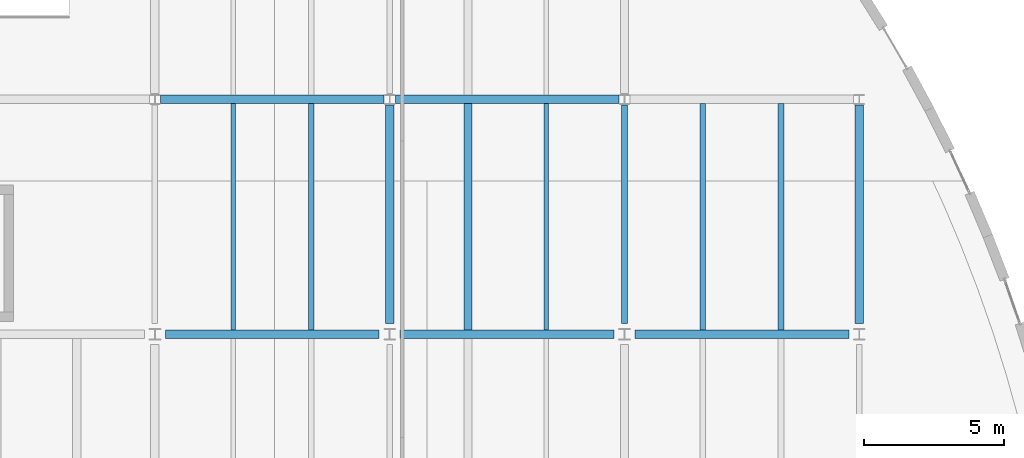
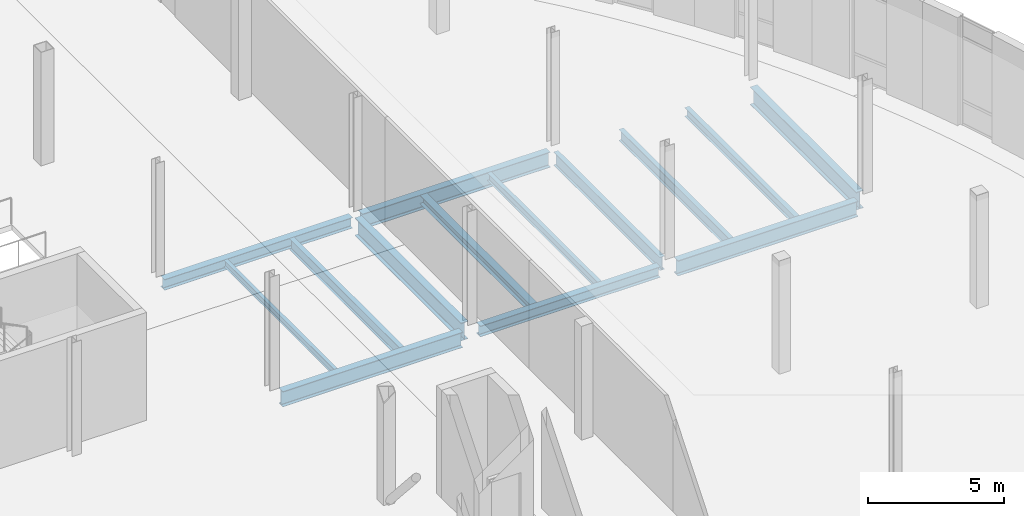
# One storey, part 51 of 104: 14 beams.
"""IFC4 building model written with IfcOpenShell, lengths in metres."""

from ifc_helpers import new_model, si_unit, direction, frame, origin, origin_2d, place, context, subcontext, project, spatial, i_section, extrude, material, material_profile, profile_set, type_object, element, save


model = new_model("IFC4")

# Units and contexts
model_context = context("Model", 3, precision=1e-05, world=origin(), true_north=direction((0.0, 1.0)))
body_context = subcontext(model_context, "Body", "Model", "MODEL_VIEW")
ifc_project = project(units=[si_unit("LENGTHUNIT", "METRE"), si_unit("AREAUNIT", "SQUARE_METRE"), si_unit("VOLUMEUNIT", "CUBIC_METRE"), si_unit("PLANEANGLEUNIT", "RADIAN"), si_unit("MASSUNIT", "GRAM", prefix="KILO"), si_unit("THERMODYNAMICTEMPERATUREUNIT", "KELVIN")], contexts=[model_context])

# Site, building, storey
site_placement = place(None, origin())
site = spatial("IfcSite", under=ifc_project, at=site_placement, CompositionType="ELEMENT")
building_placement = place(site_placement, origin())
building = spatial("IfcBuilding", under=site, at=building_placement, Name="Lustrewick Department Store", CompositionType="ELEMENT")
storey_placement = place(building_placement, frame((0.0, 0.0, 11.39990234375)))
storey = spatial("IfcBuildingStorey", under=building, at=storey_placement, Name="L03", CompositionType="ELEMENT", Elevation=11.39990234375)

# Beams
ifc_material = material(Name="Structural steel Q355B", Category="steel")
ifc_material_profile_1 = material_profile(ifc_material, i_section(OverallWidth=0.198974609375, OverallDepth=0.49609375, WebThickness=0.009033203125, FlangeThickness=0.013916015625, FilletRadius=0.01611328125, at=origin_2d()), Name="HN 496x199x9x14")
ifc_profile_set_1 = profile_set([ifc_material_profile_1], Name="Structural steel Q355B")
beam_type_1 = type_object("IfcBeamType", Name="B02", PredefinedType="JOIST", material=ifc_profile_set_1)
for number, where, z_axis, x_axis, name in (
    (1, (140.0, 75.75, -0.5029296875), (0.0, 1.0, 0.0), (-1.0, 0.0, 0.0), "L03 V4 Secondary Joist B02"),
    (2, (154.0, 75.75, -0.5029296875), (0.0, 1.0, 0.0), (-1.0, 0.0, 0.0), "L03 V4 Secondary Joist B02"),
):
    element("IfcBeam", number, at=place(storey_placement, frame(where, z_axis=z_axis, x_axis=x_axis)), inside=storey, type_object=beam_type_1, Name=name, PredefinedType="JOIST", context=body_context, shape_type="SweptSolid", body=[
        extrude(i_section(OverallWidth=0.198974609375, OverallDepth=0.49609375, WebThickness=0.009033203125, FlangeThickness=0.013916015625, FilletRadius=0.01611328125, at=origin_2d()), origin(), (0.0, 0.0, 1.0), 8.10009765625),
    ])
ifc_material_profile_2 = material_profile(ifc_material, i_section(OverallWidth=0.198974609375, OverallDepth=0.39599609375, WebThickness=0.007080078125, FlangeThickness=0.010986328125, FilletRadius=0.013916015625, at=origin_2d()), Name="HN 396x199x7x11")
ifc_profile_set_2 = profile_set([ifc_material_profile_2], Name="Structural steel Q355B")
beam_type_2 = type_object("IfcBeamType", Name="B06", PredefinedType="JOIST", material=ifc_profile_set_2)
beam_1_placement = place(storey_placement, frame((156.800048828125, 75.75, -0.452880859375), z_axis=(0.0, 1.0, 0.0), x_axis=(-1.0, 0.0, 0.0)))
element("IfcBeam", 3, at=beam_1_placement, inside=storey, type_object=beam_type_2, Name="L03 V4 Secondary Joist B06", PredefinedType="JOIST", context=body_context, shape_type="SweptSolid", body=[
    extrude(i_section(OverallWidth=0.198974609375, OverallDepth=0.39599609375, WebThickness=0.007080078125, FlangeThickness=0.010986328125, FilletRadius=0.013916015625, at=origin_2d()), origin(), (0.0, 0.0, 1.0), 8.10009765625),
])
ifc_material_profile_3 = material_profile(ifc_material, i_section(OverallWidth=0.300048828125, OverallDepth=0.389892578125, WebThickness=0.010009765625, FlangeThickness=0.01611328125, FilletRadius=0.01806640625, at=origin_2d()), Name="HM 390x300x10x16")
ifc_profile_set_3 = profile_set([ifc_material_profile_3], Name="Structural steel Q355B")
beam_type_3 = type_object("IfcBeamType", Name="B07", PredefinedType="JOIST", material=ifc_profile_set_3)
beam_2_placement = place(storey_placement, frame((145.60009765625, 75.75, -0.449951171875), z_axis=(0.0, 1.0, 0.0), x_axis=(-1.0, 0.0, 0.0)))
element("IfcBeam", 4, at=beam_2_placement, inside=storey, type_object=beam_type_3, Name="L03 V4 Secondary Joist B07", PredefinedType="JOIST", context=body_context, shape_type="SweptSolid", body=[
    extrude(i_section(OverallWidth=0.300048828125, OverallDepth=0.389892578125, WebThickness=0.010009765625, FlangeThickness=0.01611328125, FilletRadius=0.01806640625, at=origin_2d()), origin(), (0.0, 0.0, 1.0), 8.10009765625),
])
ifc_material_profile_4 = material_profile(ifc_material, i_section(OverallWidth=0.174072265625, OverallDepth=0.345947265625, WebThickness=0.006103515625, FlangeThickness=0.009033203125, FilletRadius=0.012939453125, at=origin_2d()), Name="HN 346x174x6x9")
ifc_profile_set_4 = profile_set([ifc_material_profile_4], Name="Structural steel Q355B")
beam_type_4 = type_object("IfcBeamType", Name="B10", PredefinedType="JOIST", material=ifc_profile_set_4)
beam_3_placement = place(storey_placement, frame((148.39990234375, 75.75, -0.427978515625), z_axis=(0.0, 1.0, 0.0), x_axis=(-1.0, 0.0, 0.0)))
element("IfcBeam", 5, at=beam_3_placement, inside=storey, type_object=beam_type_4, Name="L03 V4 Secondary Joist B10", PredefinedType="JOIST", context=body_context, shape_type="SweptSolid", body=[
    extrude(i_section(OverallWidth=0.174072265625, OverallDepth=0.345947265625, WebThickness=0.006103515625, FlangeThickness=0.009033203125, FilletRadius=0.012939453125, at=origin_2d()), origin(), (0.0, 0.0, 1.0), 8.10009765625),
])
ifc_material_profile_5 = material_profile(ifc_material, i_section(OverallWidth=0.14990234375, OverallDepth=0.300048828125, WebThickness=0.006591796875, FlangeThickness=0.009033203125, FilletRadius=0.011962890625, at=origin_2d()), Name="HN 300x150x6.5x9")
ifc_profile_set_5 = profile_set([ifc_material_profile_5], Name="Structural steel Q355B")
beam_type_5 = type_object("IfcBeamType", Name="B11", PredefinedType="JOIST", material=ifc_profile_set_5)
beam_4_placement = place(storey_placement, frame((137.199951171875, 75.75, -0.40478515625), z_axis=(0.0, 1.0, 0.0), x_axis=(-1.0, 0.0, 0.0)))
element("IfcBeam", 6, at=beam_4_placement, inside=storey, type_object=beam_type_5, Name="L03 V4 Secondary Joist B11", PredefinedType="JOIST", context=body_context, shape_type="SweptSolid", body=[
    extrude(i_section(OverallWidth=0.14990234375, OverallDepth=0.300048828125, WebThickness=0.006591796875, FlangeThickness=0.009033203125, FilletRadius=0.011962890625, at=origin_2d()), origin(), (0.0, 0.0, 1.0), 8.10009765625),
])
ifc_material_profile_6 = material_profile(ifc_material, i_section(OverallWidth=0.300048828125, OverallDepth=0.800048828125, WebThickness=0.013916015625, FlangeThickness=0.02587890625, FilletRadius=0.02197265625, at=origin_2d()), Name="HN 800x300x14x26")
ifc_profile_set_6 = profile_set([ifc_material_profile_6], Name="Structural steel Q355B")
beam_type_6 = type_object("IfcBeamType", Name="G05", PredefinedType="BEAM", material=ifc_profile_set_6)
for number, where, z_axis, x_axis, name in (
    (7, (142.800048828125, 75.97509765625, -0.65478515625), (0.0, 1.0, 0.0), (-1.0, 0.0, 0.0), "L03 V4 Girder G05"),
    (8, (159.60009765625, 75.97509765625, -0.65478515625), (0.0, 1.0, 0.0), (-1.0, 0.0, 0.0), "L03 V4 Girder G05"),
):
    element("IfcBeam", number, at=place(storey_placement, frame(where, z_axis=z_axis, x_axis=x_axis)), inside=storey, type_object=beam_type_6, Name=name, PredefinedType="BEAM", context=body_context, shape_type="SweptSolid", body=[
        extrude(i_section(OverallWidth=0.300048828125, OverallDepth=0.800048828125, WebThickness=0.013916015625, FlangeThickness=0.02587890625, FilletRadius=0.02197265625, at=origin_2d()), origin(), (0.0, 0.0, 1.0), 7.81787109375),
    ])
ifc_material_profile_7 = material_profile(ifc_material, i_section(OverallWidth=0.300048828125, OverallDepth=0.69189453125, WebThickness=0.012939453125, FlangeThickness=0.02001953125, FilletRadius=0.02001953125, at=origin_2d()), Name="HN 692x300x13x20")
ifc_profile_set_7 = profile_set([ifc_material_profile_7], Name="Structural steel Q355B")
beam_type_7 = type_object("IfcBeamType", Name="G09", PredefinedType="BEAM", material=ifc_profile_set_7)
for number, where, z_axis, x_axis, name in (
    (9, (134.77490234375, 75.60009765625, -0.600830078125), (1.0, 0.0, 0.0), (0.0, 1.0, 0.0), "L03 V4 Girder G09"),
    (10, (151.574951171875, 75.60009765625, -0.600830078125), (1.0, 0.0, 0.0), (0.0, 1.0, 0.0), "L03 V4 Girder G09"),
):
    element("IfcBeam", number, at=place(storey_placement, frame(where, z_axis=z_axis, x_axis=x_axis)), inside=storey, type_object=beam_type_7, Name=name, PredefinedType="BEAM", context=body_context, shape_type="SweptSolid", body=[
        extrude(i_section(OverallWidth=0.300048828125, OverallDepth=0.69189453125, WebThickness=0.012939453125, FlangeThickness=0.02001953125, FilletRadius=0.02001953125, at=origin_2d()), origin(), (0.0, 0.0, 1.0), 7.650146484375),
    ])
beam_5_placement = place(storey_placement, frame((143.00244140625, 84.0, -0.600830078125), z_axis=(1.0, 0.0, 0.0), x_axis=(0.0, 1.0, 0.0)))
element("IfcBeam", 11, at=beam_5_placement, inside=storey, type_object=beam_type_7, Name="L03 V4 Girder G09", PredefinedType="BEAM", context=body_context, shape_type="SweptSolid", body=[
    extrude(i_section(OverallWidth=0.300048828125, OverallDepth=0.69189453125, WebThickness=0.012939453125, FlangeThickness=0.02001953125, FilletRadius=0.02001953125, at=origin_2d()), origin(), (0.0, 0.0, 1.0), 7.9951171875),
])
ifc_material_profile_8 = material_profile(ifc_material, i_section(OverallWidth=0.199951171875, OverallDepth=0.60009765625, WebThickness=0.010986328125, FlangeThickness=0.01708984375, FilletRadius=0.01806640625, at=origin_2d()), Name="HN 600x200x11x17")
ifc_profile_set_8 = profile_set([ifc_material_profile_8], Name="Structural steel Q355B")
beam_type_8 = type_object("IfcBeamType", Name="G14", PredefinedType="BEAM", material=ifc_profile_set_8)
beam_6_placement = place(storey_placement, frame((151.199951171875, 75.97509765625, -0.554931640625), z_axis=(0.0, 1.0, 0.0), x_axis=(-1.0, 0.0, 0.0)))
element("IfcBeam", 12, at=beam_6_placement, inside=storey, type_object=beam_type_8, Name="L03 V4 Girder G14", PredefinedType="BEAM", context=body_context, shape_type="SweptSolid", body=[
    extrude(i_section(OverallWidth=0.199951171875, OverallDepth=0.60009765625, WebThickness=0.010986328125, FlangeThickness=0.01708984375, FilletRadius=0.01806640625, at=origin_2d()), origin(), (0.0, 0.0, 1.0), 7.81787109375),
])
ifc_material_profile_9 = material_profile(ifc_material, i_section(OverallWidth=0.300048828125, OverallDepth=0.48193359375, WebThickness=0.010986328125, FlangeThickness=0.014892578125, FilletRadius=0.02197265625, at=origin_2d()), Name="HM 482x300x11x15")
ifc_profile_set_9 = profile_set([ifc_material_profile_9], Name="Structural steel Q355B")
beam_type_9 = type_object("IfcBeamType", Name="G20", PredefinedType="BEAM", material=ifc_profile_set_9)
beam_7_placement = place(storey_placement, frame((143.175048828125, 75.60009765625, -0.495849609375), z_axis=(1.0, 0.0, 0.0), x_axis=(0.0, 1.0, 0.0)))
element("IfcBeam", 13, at=beam_7_placement, inside=storey, type_object=beam_type_9, Name="L03 V4 Girder G20", PredefinedType="BEAM", context=body_context, shape_type="SweptSolid", body=[
    extrude(i_section(OverallWidth=0.300048828125, OverallDepth=0.48193359375, WebThickness=0.010986328125, FlangeThickness=0.014892578125, FilletRadius=0.02197265625, at=origin_2d()), origin(), (0.0, 0.0, 1.0), 7.64990234375),
])
beam_8_placement = place(storey_placement, frame((134.6025390625, 84.0, -0.495849609375), z_axis=(1.0, 0.0, 0.0), x_axis=(0.0, 1.0, 0.0)))
element("IfcBeam", 14, at=beam_8_placement, inside=storey, type_object=beam_type_9, Name="L03 V4 Girder G20", PredefinedType="BEAM", context=body_context, shape_type="SweptSolid", body=[
    extrude(i_section(OverallWidth=0.300048828125, OverallDepth=0.48193359375, WebThickness=0.010986328125, FlangeThickness=0.014892578125, FilletRadius=0.02197265625, at=origin_2d()), origin(), (0.0, 0.0, 1.0), 7.994873046875),
])

save(model, "model.ifc")
